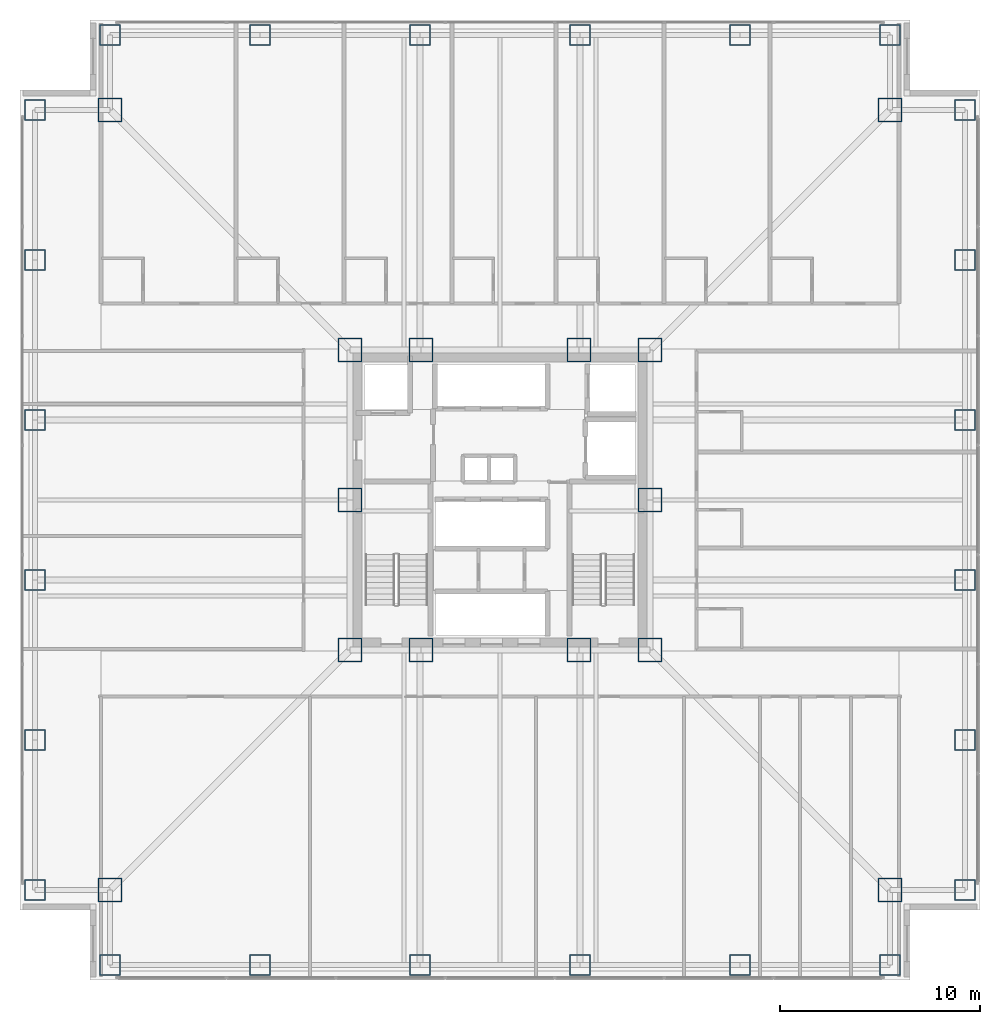
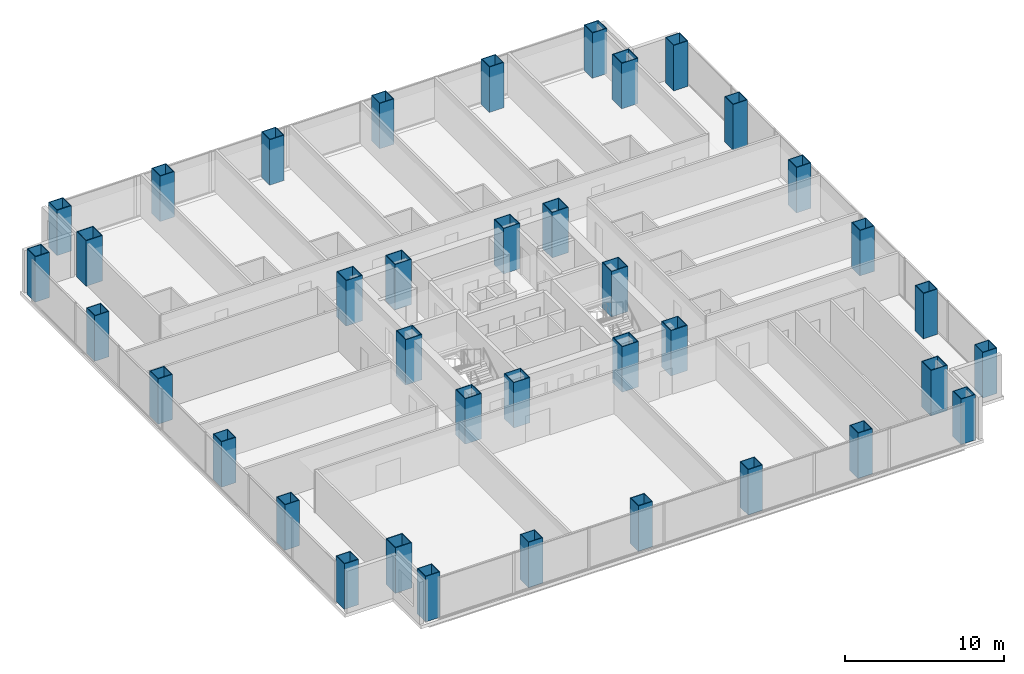
# One storey, part 1 of 16: 38 columns.
"""IFC4 building model written with IfcOpenShell, lengths in metres."""

from ifc_helpers import new_model, si_unit, direction, frame, origin, origin_2d, place, context, subcontext, project, spatial, hollow_rectangle, extrude, material, material_profile, profile_set, type_object, element, save


model = new_model("IFC4")

# Units and contexts
model_context = context("Model", 3, precision=1e-05, world=origin(), true_north=direction((0.0, 1.0)))
body_context = subcontext(model_context, "Body", "Model", "MODEL_VIEW")
ifc_project = project(units=[si_unit("LENGTHUNIT", "METRE"), si_unit("AREAUNIT", "SQUARE_METRE"), si_unit("VOLUMEUNIT", "CUBIC_METRE"), si_unit("PLANEANGLEUNIT", "RADIAN"), si_unit("MASSUNIT", "GRAM", prefix="KILO")], contexts=[model_context])

# Site, building, storey
site_placement = place(None, origin())
site = spatial("IfcSite", under=ifc_project, at=site_placement, CompositionType="ELEMENT")
building_placement = place(site_placement, origin())
building = spatial("IfcBuilding", under=site, at=building_placement, Name="Trevonay Congress Spire", CompositionType="ELEMENT")
storey_placement = place(building_placement, frame((0.0, 0.0, 72.5)))
storey = spatial("IfcBuildingStorey", under=building, at=storey_placement, Name="L18", CompositionType="ELEMENT", Elevation=72.5)

# Columns
ifc_material = material(Name="Steel ASTM A572 Grade 50", Category="steel")
ifc_material_profile_1 = material_profile(ifc_material, hollow_rectangle(XDim=1.199951171875, YDim=1.199951171875, WallThickness=0.054931640625, at=origin_2d()), Name="BOX 1200x1200x55")
ifc_profile_set_1 = profile_set([ifc_material_profile_1], Name="Steel ASTM A572 Grade 50")
column_type_1 = type_object("IfcColumnType", Name="COL-CORE-BOX1200", PredefinedType="COLUMN", material=ifc_profile_set_1)
for number, where, z_axis, x_axis, name in (
    (1, (-7.5, -7.5, 0.0), (0.0, 0.0, 1.0), (1.0, 0.0, 0.0), "L18 column C02 at CC-SW"),
    (2, (-3.949951171875, -7.5, 0.0), (0.0, 0.0, 1.0), (1.0, 0.0, 0.0), "L18 column C02 at CC-SMW"),
    (3, (3.949951171875, -7.5, 0.0), (0.0, 0.0, 1.0), (1.0, 0.0, 0.0), "L18 column C02 at CC-SME"),
    (4, (7.5, -7.5, 0.0), (0.0, 0.0, 1.0), (1.0, 0.0, 0.0), "L18 column C02 at CC-SE"),
    (5, (7.5, 0.0, 0.0), (0.0, 0.0, 1.0), (1.0, 0.0, 0.0), "L18 column C02 at CC-E"),
    (6, (7.5, 7.5, 0.0), (0.0, 0.0, 1.0), (1.0, 0.0, 0.0), "L18 column C02 at CC-NE"),
    (7, (3.949951171875, 7.5, 0.0), (0.0, 0.0, 1.0), (1.0, 0.0, 0.0), "L18 column C02 at CC-NME"),
    (8, (-3.949951171875, 7.5, 0.0), (0.0, 0.0, 1.0), (1.0, 0.0, 0.0), "L18 column C02 at CC-NMW"),
    (9, (-7.5, 7.5, 0.0), (0.0, 0.0, 1.0), (1.0, 0.0, 0.0), "L18 column C02 at CC-NW"),
    (10, (-7.5, 0.0, 0.0), (0.0, 0.0, 1.0), (1.0, 0.0, 0.0), "L18 column C02 at CC-W"),
):
    element("IfcColumn", number, at=place(storey_placement, frame(where, z_axis=z_axis, x_axis=x_axis)), inside=storey, type_object=column_type_1, Name=name, PredefinedType="COLUMN", context=body_context, shape_type="SweptSolid", body=[
        extrude(hollow_rectangle(XDim=1.199951171875, YDim=1.199951171875, WallThickness=0.054931640625, at=origin_2d()), origin(), (0.0, 0.0, 1.0), 3.5),
    ])
ifc_material_profile_2 = material_profile(ifc_material, hollow_rectangle(XDim=1.199951171875, YDim=1.199951171875, WallThickness=0.054931640625, at=origin_2d()), Name="BOX 1200x1200x55")
ifc_profile_set_2 = profile_set([ifc_material_profile_2], Name="Steel ASTM A572 Grade 50")
column_type_2 = type_object("IfcColumnType", Name="COL-NOTCH-BOX1200", PredefinedType="COLUMN", material=ifc_profile_set_2)
for number, where, z_axis, x_axis, name in (
    (11, (-19.5, -19.5, 0.0), (0.0, 0.0, 1.0), (1.0, 0.0, 0.0), "L18 column C19 at NC-SW"),
    (12, (19.5, -19.5, 0.0), (0.0, 0.0, 1.0), (1.0, 0.0, 0.0), "L18 column C19 at NC-SE"),
    (13, (19.5, 19.5, 0.0), (0.0, 0.0, 1.0), (1.0, 0.0, 0.0), "L18 column C19 at NC-NE"),
    (14, (-19.5, 19.5, 0.0), (0.0, 0.0, 1.0), (1.0, 0.0, 0.0), "L18 column C19 at NC-NW"),
):
    element("IfcColumn", number, at=place(storey_placement, frame(where, z_axis=z_axis, x_axis=x_axis)), inside=storey, type_object=column_type_2, Name=name, PredefinedType="COLUMN", context=body_context, shape_type="SweptSolid", body=[
        extrude(hollow_rectangle(XDim=1.199951171875, YDim=1.199951171875, WallThickness=0.054931640625, at=origin_2d()), origin(), (0.0, 0.0, 1.0), 3.5),
    ])
ifc_material_profile_3 = material_profile(ifc_material, hollow_rectangle(XDim=1.050048828125, YDim=1.050048828125, WallThickness=0.050048828125, at=origin_2d()), Name="BOX 1050x1050x50")
ifc_profile_set_3 = profile_set([ifc_material_profile_3], Name="Steel ASTM A572 Grade 50")
column_type_3 = type_object("IfcColumnType", Name="COL-TUBE-BOX1050", PredefinedType="COLUMN", material=ifc_profile_set_3)
for number, where, z_axis, x_axis, name in (
    (15, (-19.5, -23.25, 0.0), (0.0, 0.0, 1.0), (1.0, 0.0, 0.0), "L18 column C14 at TS-1"),
    (16, (-19.5, 23.25, 0.0), (0.0, 0.0, 1.0), (1.0, 0.0, 0.0), "L18 column C14 at TN-1"),
    (17, (-23.25, -19.5, 0.0), (0.0, 0.0, 1.0), (1.0, 0.0, 0.0), "L18 column C14 at TW-1"),
    (18, (23.25, -19.5, 0.0), (0.0, 0.0, 1.0), (1.0, 0.0, 0.0), "L18 column C14 at TE-1"),
    (19, (-12.0, -23.25, 0.0), (0.0, 0.0, 1.0), (1.0, 0.0, 0.0), "L18 column C14 at TS-2"),
    (20, (-12.0, 23.25, 0.0), (0.0, 0.0, 1.0), (1.0, 0.0, 0.0), "L18 column C14 at TN-2"),
    (21, (-23.25, -12.0, 0.0), (0.0, 0.0, 1.0), (1.0, 0.0, 0.0), "L18 column C14 at TW-2"),
    (22, (23.25, -12.0, 0.0), (0.0, 0.0, 1.0), (1.0, 0.0, 0.0), "L18 column C14 at TE-2"),
    (23, (-4.0, -23.25, 0.0), (0.0, 0.0, 1.0), (1.0, 0.0, 0.0), "L18 column C14 at TS-3"),
    (24, (-4.0, 23.25, 0.0), (0.0, 0.0, 1.0), (1.0, 0.0, 0.0), "L18 column C14 at TN-3"),
    (25, (-23.25, -4.0, 0.0), (0.0, 0.0, 1.0), (1.0, 0.0, 0.0), "L18 column C14 at TW-3"),
    (26, (23.25, -4.0, 0.0), (0.0, 0.0, 1.0), (1.0, 0.0, 0.0), "L18 column C14 at TE-3"),
    (27, (4.0, -23.25, 0.0), (0.0, 0.0, 1.0), (1.0, 0.0, 0.0), "L18 column C14 at TS-4"),
    (28, (4.0, 23.25, 0.0), (0.0, 0.0, 1.0), (1.0, 0.0, 0.0), "L18 column C14 at TN-4"),
    (29, (-23.25, 4.0, 0.0), (0.0, 0.0, 1.0), (1.0, 0.0, 0.0), "L18 column C14 at TW-4"),
    (30, (23.25, 4.0, 0.0), (0.0, 0.0, 1.0), (1.0, 0.0, 0.0), "L18 column C14 at TE-4"),
    (31, (12.0, -23.25, 0.0), (0.0, 0.0, 1.0), (1.0, 0.0, 0.0), "L18 column C14 at TS-5"),
    (32, (12.0, 23.25, 0.0), (0.0, 0.0, 1.0), (1.0, 0.0, 0.0), "L18 column C14 at TN-5"),
    (33, (-23.25, 12.0, 0.0), (0.0, 0.0, 1.0), (1.0, 0.0, 0.0), "L18 column C14 at TW-5"),
    (34, (23.25, 12.0, 0.0), (0.0, 0.0, 1.0), (1.0, 0.0, 0.0), "L18 column C14 at TE-5"),
    (35, (19.5, -23.25, 0.0), (0.0, 0.0, 1.0), (1.0, 0.0, 0.0), "L18 column C14 at TS-6"),
    (36, (19.5, 23.25, 0.0), (0.0, 0.0, 1.0), (1.0, 0.0, 0.0), "L18 column C14 at TN-6"),
    (37, (-23.25, 19.5, 0.0), (0.0, 0.0, 1.0), (1.0, 0.0, 0.0), "L18 column C14 at TW-6"),
    (38, (23.25, 19.5, 0.0), (0.0, 0.0, 1.0), (1.0, 0.0, 0.0), "L18 column C14 at TE-6"),
):
    element("IfcColumn", number, at=place(storey_placement, frame(where, z_axis=z_axis, x_axis=x_axis)), inside=storey, type_object=column_type_3, Name=name, PredefinedType="COLUMN", context=body_context, shape_type="SweptSolid", body=[
        extrude(hollow_rectangle(XDim=1.050048828125, YDim=1.050048828125, WallThickness=0.050048828125, at=origin_2d()), origin(), (0.0, 0.0, 1.0), 3.5),
    ])

save(model, "model.ifc")
